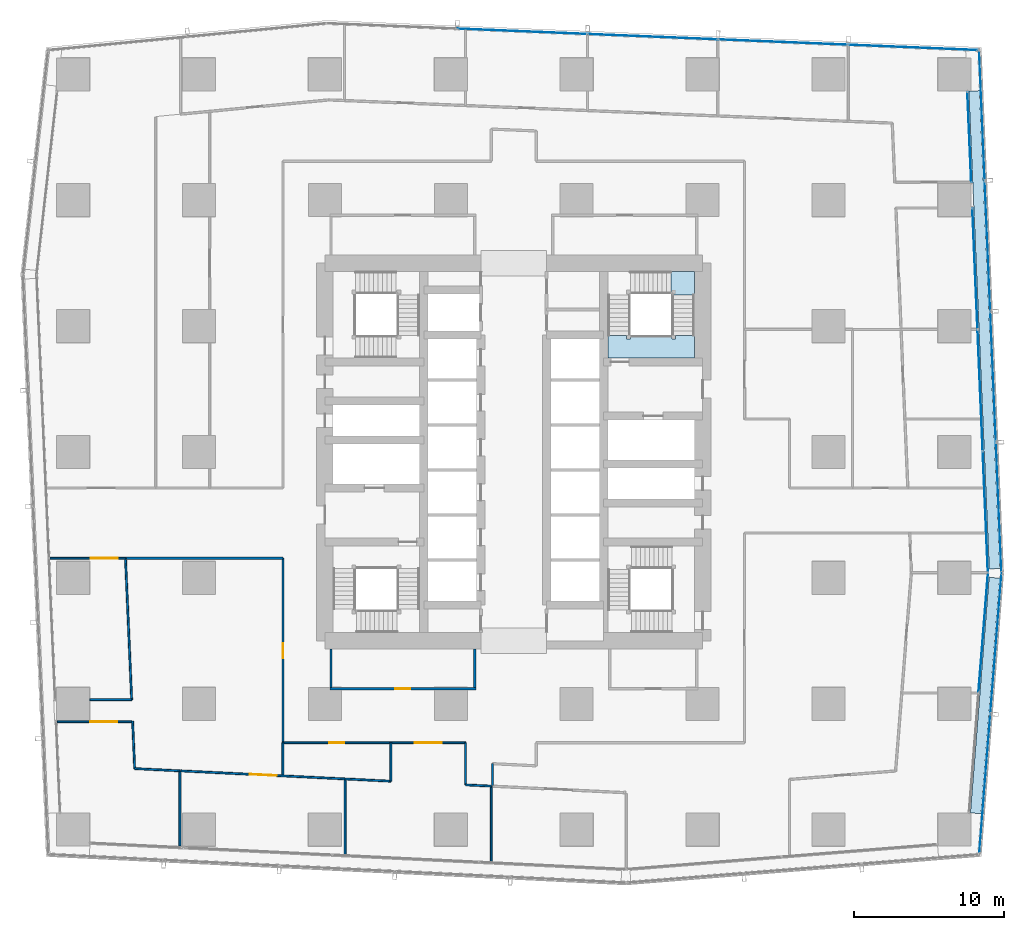
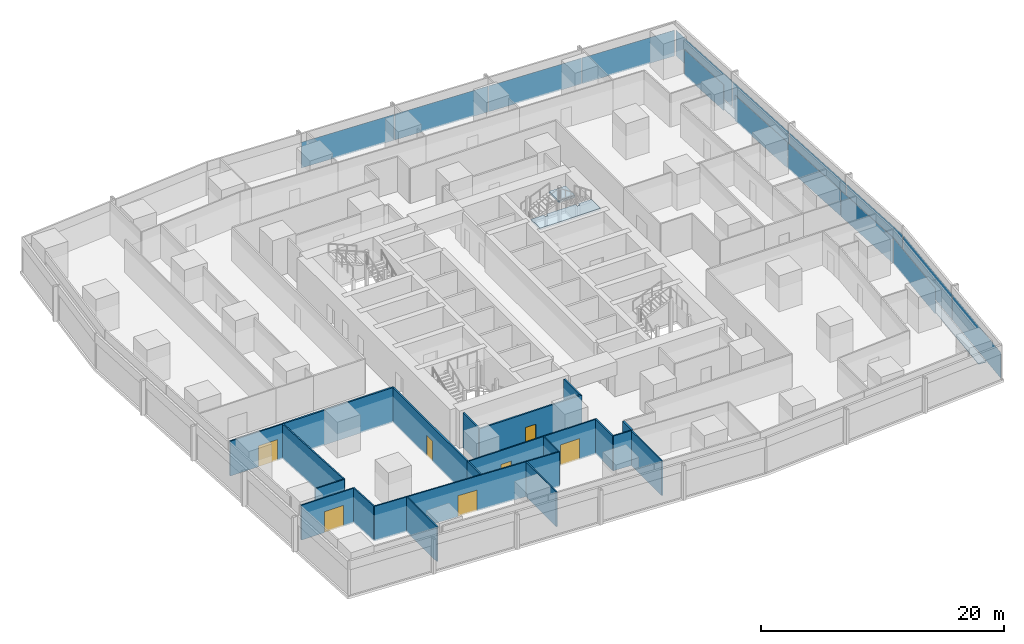
# One storey, part 31 of 44: 23 walls, 17 plates, 7 doors, 2 slabs, 7 openings, 7 elements without a shape of their own.
"""IFC4 building model written with IfcOpenShell, lengths in metres."""

from ifc_helpers import new_model, si_unit, direction, frame, frame_2d, origin, origin_2d, place, context, subcontext, project, spatial, polyline, rectangle, outline, extrude, material, layer, layer_set, type_object, element, fill, aggregate, save


model = new_model("IFC4")

# Units and contexts
model_context = context("Model", 3, precision=1e-05, world=origin(), true_north=direction((0.0, 1.0)))
body_context = subcontext(model_context, "Body", "Model", "MODEL_VIEW")
ifc_project = project(units=[si_unit("LENGTHUNIT", "METRE"), si_unit("AREAUNIT", "SQUARE_METRE"), si_unit("VOLUMEUNIT", "CUBIC_METRE"), si_unit("PLANEANGLEUNIT", "RADIAN"), si_unit("MASSUNIT", "GRAM", prefix="KILO")], contexts=[model_context])

# Site, building, storey
site_placement = place(None, origin())
site = spatial("IfcSite", under=ifc_project, at=site_placement, CompositionType="ELEMENT")
building_placement = place(site_placement, origin())
building = spatial("IfcBuilding", under=site, at=building_placement, Name="Rekha Terrace Tower", CompositionType="ELEMENT")
storey_placement = place(building_placement, frame((0.0, 0.0, 62.89990234375)))
storey = spatial("IfcBuildingStorey", under=building, at=storey_placement, Name="L15", CompositionType="ELEMENT", Elevation=62.89990234375)

# Curtain wall, plate
ifc_material_1 = material(Name="Aluminium framing", Category="aluminium")
curtain_wall_type_1 = type_object("IfcCurtainWallType", Name="CW1 double skin inner glazing", PredefinedType="USERDEFINED", material=ifc_material_1)
curtain_wall_1_placement = place(storey_placement, origin())
curtain_wall_1 = element("IfcCurtainWall", 1, at=curtain_wall_1_placement, inside=storey, type_object=curtain_wall_type_1, Name="CW1 double skin inner glazing", ObjectType="DOUBLE SKIN INNER GLAZING", PredefinedType="USERDEFINED")
ifc_material_2 = material(Name="Double-glazed low-e unit 32", Category="glass")
ifc_layer_1 = layer(ifc_material_2, 0.031982421875)
ifc_layer_set_1 = layer_set([ifc_layer_1], Name="Double-glazed low-e unit 32")
plate_type_1 = type_object("IfcPlateType", Name="CW1 jumbo vision panel, double-glazed low-e unit 32", PredefinedType="CURTAIN_PANEL", material=ifc_layer_set_1)
plate_1_placement = place(storey_placement, frame((69.1220703125, 21.53759765625, 0.0), z_axis=(0.0, 0.0, 1.0), x_axis=(0.079116301, 0.996865392576, 0.0)))
plate_1 = element("IfcPlate", 2, at=plate_1_placement, type_object=plate_type_1, Name="CW1 panel 2.1", PredefinedType="CURTAIN_PANEL", context=body_context, shape_type="SweptSolid", body=[
    extrude(rectangle(XDim=7.988525390625, YDim=0.031982421875, at=origin_2d()), origin(), (0.0, 0.0, 1.0), 2.60009765625),
])
aggregate(curtain_wall_1, [plate_1])

# Curtain wall, plates
curtain_wall_2_placement = place(storey_placement, origin())
curtain_wall_2 = element("IfcCurtainWall", 3, at=curtain_wall_2_placement, inside=storey, type_object=curtain_wall_type_1, Name="CW1 double skin inner glazing", ObjectType="DOUBLE SKIN INNER GLAZING", PredefinedType="USERDEFINED")
plate_2_placement = place(storey_placement, frame((69.263671875, 29.60107421875, 0.0), z_axis=(0.0, 0.0, 1.0), x_axis=(-0.042696072921, 0.999088106904, 0.0)))
plate_2 = element("IfcPlate", 4, at=plate_2_placement, type_object=plate_type_1, Name="CW1 panel 1.1", PredefinedType="CURTAIN_PANEL", context=body_context, shape_type="SweptSolid", body=[
    extrude(rectangle(XDim=8.041015625, YDim=0.031982421875, at=origin_2d()), origin(), (0.0, 0.0, 1.0), 2.60009765625),
])
plate_3_placement = place(storey_placement, frame((68.9169921875, 37.7158203125, 0.0), z_axis=(0.0, 0.0, 1.0), x_axis=(-0.042696072921, 0.999088106904, 0.0)))
plate_3 = element("IfcPlate", 5, at=plate_3_placement, type_object=plate_type_1, Name="CW1 panel 2.1", PredefinedType="CURTAIN_PANEL", context=body_context, shape_type="SweptSolid", body=[
    extrude(rectangle(XDim=8.073486328125, YDim=0.031982421875, at=origin_2d()), origin(), (0.0, 0.0, 1.0), 2.60009765625),
])
plate_4_placement = place(storey_placement, frame((68.5703125, 45.83056640625, 0.0), z_axis=(0.0, 0.0, 1.0), x_axis=(-0.042696072921, 0.999088106904, 0.0)))
plate_4 = element("IfcPlate", 6, at=plate_4_placement, type_object=plate_type_1, Name="CW1 panel 3.1", PredefinedType="CURTAIN_PANEL", context=body_context, shape_type="SweptSolid", body=[
    extrude(rectangle(XDim=8.041015625, YDim=0.031982421875, at=origin_2d()), origin(), (0.0, 0.0, 1.0), 2.60009765625),
])
aggregate(curtain_wall_2, [plate_2, plate_3, plate_4])

# Curtain wall, plate
curtain_wall_3_placement = place(storey_placement, origin())
curtain_wall_3 = element("IfcCurtainWall", 7, at=curtain_wall_3_placement, inside=storey, type_object=curtain_wall_type_1, Name="CW1 double skin inner glazing", ObjectType="DOUBLE SKIN INNER GLAZING", PredefinedType="USERDEFINED")
plate_5_placement = place(storey_placement, frame((68.195556640625, 54.60009765625, 0.0), z_axis=(0.0, 0.0, 1.0), x_axis=(-0.042696073026, 0.9990881069, 0.0)))
plate_5 = element("IfcPlate", 8, at=plate_5_placement, type_object=plate_type_1, Name="CW1 panel 1.1", PredefinedType="CURTAIN_PANEL", context=body_context, shape_type="SweptSolid", body=[
    extrude(rectangle(XDim=6.027587890625, YDim=0.031982421875, at=origin_2d()), origin(), (0.0, 0.0, 1.0), 2.60009765625),
])
aggregate(curtain_wall_3, [plate_5])

# Curtain wall, plates
curtain_wall_type_2 = type_object("IfcCurtainWallType", Name="CW2 double skin outer glazing", PredefinedType="USERDEFINED", material=ifc_material_1)
curtain_wall_4_placement = place(storey_placement, origin())
curtain_wall_4 = element("IfcCurtainWall", 9, at=curtain_wall_4_placement, inside=storey, type_object=curtain_wall_type_2, Name="CW2 double skin outer glazing", ObjectType="DOUBLE SKIN OUTER GLAZING", PredefinedType="USERDEFINED")
ifc_material_3 = material(Name="Toughened single glazing 12", Category="glass")
ifc_layer_2 = layer(ifc_material_3, 0.011962890625)
ifc_layer_set_2 = layer_set([ifc_layer_2], Name="Toughened single glazing 12")
plate_type_2 = type_object("IfcPlateType", Name="CW2 jumbo vision panel, toughened single glazing 12", PredefinedType="CURTAIN_PANEL", material=ifc_layer_set_2)
plate_6_placement = place(storey_placement, frame((69.22509765625, 11.45703125, 0.0), z_axis=(0.0, 0.0, 1.0), x_axis=(0.079116301017, 0.996865392575, 0.0)))
plate_6 = element("IfcPlate", 10, at=plate_6_placement, type_object=plate_type_2, Name="CW2 panel 1.1", PredefinedType="CURTAIN_PANEL", context=body_context, shape_type="SweptSolid", body=[
    extrude(rectangle(XDim=9.28662109375, YDim=0.011962890625, at=origin_2d()), origin(), (0.0, 0.0, 1.0), 2.60009765625),
])
plate_7_placement = place(storey_placement, frame((69.96923828125, 20.834228515625, 0.0), z_axis=(0.0, 0.0, 1.0), x_axis=(0.079116301017, 0.996865392575, 0.0)))
plate_7 = element("IfcPlate", 11, at=plate_7_placement, type_object=plate_type_2, Name="CW2 panel 2.1", PredefinedType="CURTAIN_PANEL", context=body_context, shape_type="SweptSolid", body=[
    extrude(rectangle(XDim=9.36669921875, YDim=0.011962890625, at=origin_2d()), origin(), (0.0, 0.0, 1.0), 2.60009765625),
])
aggregate(curtain_wall_4, [plate_6, plate_7])

curtain_wall_5_placement = place(storey_placement, origin())
curtain_wall_5 = element("IfcCurtainWall", 12, at=curtain_wall_5_placement, inside=storey, type_object=curtain_wall_type_2, Name="CW2 double skin outer glazing", ObjectType="DOUBLE SKIN OUTER GLAZING", PredefinedType="USERDEFINED")
plate_8_placement = place(storey_placement, frame((70.152099609375, 29.890869140625, 0.0), z_axis=(0.0, 0.0, 1.0), x_axis=(-0.042696072956, 0.999088106903, 0.0)))
plate_8 = element("IfcPlate", 13, at=plate_8_placement, type_object=plate_type_2, Name="CW2 panel 1.1", PredefinedType="CURTAIN_PANEL", context=body_context, shape_type="SweptSolid", body=[
    extrude(rectangle(XDim=8.623779296875, YDim=0.011962890625, at=origin_2d()), origin(), (0.0, 0.0, 1.0), 2.60009765625),
])
plate_9_placement = place(storey_placement, frame((69.77978515625, 38.606689453125, 0.0), z_axis=(0.0, 0.0, 1.0), x_axis=(-0.042696072956, 0.999088106903, 0.0)))
plate_9 = element("IfcPlate", 14, at=plate_9_placement, type_object=plate_type_2, Name="CW2 panel 2.1", PredefinedType="CURTAIN_PANEL", context=body_context, shape_type="SweptSolid", body=[
    extrude(rectangle(XDim=8.663818359375, YDim=0.011962890625, at=origin_2d()), origin(), (0.0, 0.0, 1.0), 2.60009765625),
])
plate_10_placement = place(storey_placement, frame((69.406494140625, 47.342529296875, 0.0), z_axis=(0.0, 0.0, 1.0), x_axis=(-0.042696072956, 0.999088106903, 0.0)))
plate_10 = element("IfcPlate", 15, at=plate_10_placement, type_object=plate_type_2, Name="CW2 panel 3.1", PredefinedType="CURTAIN_PANEL", context=body_context, shape_type="SweptSolid", body=[
    extrude(rectangle(XDim=8.663818359375, YDim=0.011962890625, at=origin_2d()), origin(), (0.0, 0.0, 1.0), 2.60009765625),
])
plate_11_placement = place(storey_placement, frame((69.033935546875, 56.058349609375, 0.0), z_axis=(0.0, 0.0, 1.0), x_axis=(-0.042696072956, 0.999088106903, 0.0)))
plate_11 = element("IfcPlate", 16, at=plate_11_placement, type_object=plate_type_2, Name="CW2 panel 4.1", PredefinedType="CURTAIN_PANEL", context=body_context, shape_type="SweptSolid", body=[
    extrude(rectangle(XDim=8.623779296875, YDim=0.011962890625, at=origin_2d()), origin(), (0.0, 0.0, 1.0), 2.60009765625),
])
aggregate(curtain_wall_5, [plate_8, plate_9, plate_10, plate_11])

curtain_wall_type_3 = type_object("IfcCurtainWallType", Name="CW3 north unitised glazing", PredefinedType="USERDEFINED", material=ifc_material_1)
curtain_wall_6_placement = place(storey_placement, origin())
curtain_wall_6 = element("IfcCurtainWall", 17, at=curtain_wall_6_placement, inside=storey, type_object=curtain_wall_type_3, Name="CW3 unitised curtain wall", ObjectType="UNITISED CURTAIN WALL", PredefinedType="USERDEFINED")
ifc_material_4 = material(Name="Double-glazed unit 28", Category="glass")
ifc_layer_3 = layer(ifc_material_4, 0.028076171875)
ifc_layer_set_3 = layer_set([ifc_layer_3], Name="Double-glazed unit 28")
plate_type_3 = type_object("IfcPlateType", Name="CW3 jumbo vision panel, double-glazed unit 28", PredefinedType="CURTAIN_PANEL", material=ifc_layer_set_3)
plate_12_placement = place(storey_placement, frame((64.4423828125, 60.587646484375, 0.0), z_axis=(0.0, 0.0, 1.0), x_axis=(-0.999151997647, 0.041173846041, 0.0)))
plate_12 = element("IfcPlate", 18, at=plate_12_placement, type_object=plate_type_3, Name="CW3 panel 1.1", PredefinedType="CURTAIN_PANEL", context=body_context, shape_type="SweptSolid", body=[
    extrude(rectangle(XDim=8.598876953125, YDim=0.028076171875, at=origin_2d()), origin(), (0.0, 0.0, 1.0), 2.60009765625),
])
plate_13_placement = place(storey_placement, frame((55.76318359375, 60.9453125, 0.0), z_axis=(0.0, 0.0, 1.0), x_axis=(-0.999151997647, 0.041173846041, 0.0)))
plate_13 = element("IfcPlate", 19, at=plate_13_placement, type_object=plate_type_3, Name="CW3 panel 2.1", PredefinedType="CURTAIN_PANEL", context=body_context, shape_type="SweptSolid", body=[
    extrude(rectangle(XDim=8.6337890625, YDim=0.028076171875, at=origin_2d()), origin(), (0.0, 0.0, 1.0), 2.60009765625),
])
plate_14_placement = place(storey_placement, frame((47.066650390625, 61.3037109375, 0.0), z_axis=(0.0, 0.0, 1.0), x_axis=(-0.999151997647, 0.041173846041, 0.0)))
plate_14 = element("IfcPlate", 20, at=plate_14_placement, type_object=plate_type_3, Name="CW3 panel 3.1", PredefinedType="CURTAIN_PANEL", context=body_context, shape_type="SweptSolid", body=[
    extrude(rectangle(XDim=8.6337890625, YDim=0.028076171875, at=origin_2d()), origin(), (0.0, 0.0, 1.0), 2.60009765625),
])
plate_15_placement = place(storey_placement, frame((38.370361328125, 61.662109375, 0.0), z_axis=(0.0, 0.0, 1.0), x_axis=(-0.999151997647, 0.041173846041, 0.0)))
plate_15 = element("IfcPlate", 21, at=plate_15_placement, type_object=plate_type_3, Name="CW3 panel 4.1", PredefinedType="CURTAIN_PANEL", context=body_context, shape_type="SweptSolid", body=[
    extrude(rectangle(XDim=8.6337890625, YDim=0.028076171875, at=origin_2d()), origin(), (0.0, 0.0, 1.0), 2.60009765625),
])
aggregate(curtain_wall_6, [plate_12, plate_13, plate_14, plate_15])

# Plates
ifc_material_5 = material(Name="Galvanised steel open grating", Category="steel")
ifc_layer_4 = layer(ifc_material_5, 0.050048828125)
ifc_layer_set_4 = layer_set([ifc_layer_4], Name="Galvanised steel open grating")
plate_type_4 = type_object("IfcPlateType", Name="GT1 cavity walkway grating 50", PredefinedType="USERDEFINED", material=ifc_layer_set_4)
plate_16_placement = place(storey_placement, frame((69.241455078125, 17.353515625, 0.0), z_axis=(0.0, 0.0, 1.0), x_axis=(0.079116301, 0.996865392576, 0.0)))
element("IfcPlate", 22, at=plate_16_placement, inside=storey, type_object=plate_type_4, Name="Cavity walkway grating", ObjectType="CAVITY WALKWAY GRATING", PredefinedType="USERDEFINED", context=body_context, shape_type="SweptSolid", body=[
    extrude(rectangle(XDim=15.7666015625, YDim=0.705078125, at=origin_2d()), origin(), (0.0, 0.0, 1.0), 0.050048828125),
])
plate_17_placement = place(storey_placement, frame((69.195068359375, 41.75, 0.0), z_axis=(0.0, 0.0, 1.0), x_axis=(-0.042696072939, 0.999088106903, 0.0)))
element("IfcPlate", 23, at=plate_17_placement, inside=storey, type_object=plate_type_4, Name="Cavity walkway grating", ObjectType="CAVITY WALKWAY GRATING", PredefinedType="USERDEFINED", context=body_context, shape_type="SweptSolid", body=[
    extrude(rectangle(XDim=31.9072265625, YDim=0.705078125, at=origin_2d()), origin(), (0.0, 0.0, 1.0), 0.050048828125),
])

# Stair, slabs
ifc_material_6 = material(Name="Concrete M40", Category="concrete")
stair_type = type_object("IfcStairType", Name="ST30 stair, 30 risers of 125, going 300, 1500 wide flights, 3 flights", PredefinedType="HALF_TURN_STAIR", material=ifc_material_6)
stair_placement = place(storey_placement, origin())
stair = element("IfcStair", 24, at=stair_placement, inside=storey, type_object=stair_type, Name="Stair ST2 L15 to L16", PredefinedType="HALF_TURN_STAIR")
ifc_layer_5 = layer(ifc_material_6, 0.199951171875)
ifc_layer_set_5 = layer_set([ifc_layer_5], Name="Concrete M40")
slab_type = type_object("IfcSlabType", Name="LD1 200 concrete stair landing", PredefinedType="LANDING", material=ifc_layer_set_5)
slab_1_placement = place(storey_placement, frame((0.0, 0.0, 2.300048828125)))
slab_1 = element("IfcSlab", 25, at=slab_1_placement, type_object=slab_type, Name="ST2 landing 2", PredefinedType="LANDING", context=body_context, shape_type="SweptSolid", body=[
    extrude(outline(polyline([(48.35009765625, 44.074951171875), (49.85009765625, 44.074951171875), (49.85009765625, 45.64990234375), (48.27490234375, 45.64990234375), (48.27490234375, 44.14990234375), (48.35009765625, 44.14990234375), (48.35009765625, 44.074951171875)])), origin(), (0.0, 0.0, 1.0), 0.199951171875),
])
slab_2_placement = place(storey_placement, frame((0.0, 0.0, 3.550048828125)))
slab_2 = element("IfcSlab", 26, at=slab_2_placement, type_object=slab_type, Name="ST2 landing 3", PredefinedType="LANDING", context=body_context, shape_type="SweptSolid", body=[
    extrude(outline(polyline([(44.074951171875, 41.375), (44.074951171875, 39.875), (49.85009765625, 39.875), (49.85009765625, 41.375), (48.60009765625, 41.375), (48.60009765625, 41.125), (48.35009765625, 41.125), (48.35009765625, 41.375), (45.574951171875, 41.375), (45.574951171875, 41.125), (45.324951171875, 41.125), (45.324951171875, 41.375), (44.074951171875, 41.375)])), origin(), (0.0, 0.0, 1.0), 0.199951171875),
])
aggregate(stair, [slab_1, slab_2])

# Wall, opening, door
ifc_material_7 = material(Name="Concrete block masonry, 1 hour", Category="masonry")
ifc_layer_6 = layer(ifc_material_7, 0.14990234375)
ifc_layer_set_6 = layer_set([ifc_layer_6], Name="Concrete block masonry, 1 hour")
wall_type_1 = type_object("IfcWallType", Name="WP2 150 tenancy partition", PredefinedType="PARTITIONING", material=ifc_layer_set_6)
wall_1_placement = place(storey_placement, frame((25.52490234375, 17.800048828125, 0.0), z_axis=(0.0, 0.0, 1.0), x_axis=(1.0, 0.0, 0.0)))
wall_1 = element("IfcWall", 27, at=wall_1_placement, inside=storey, type_object=wall_type_1, Name="Men's WC wall L15", PredefinedType="PARTITIONING", context=body_context, shape_type="SweptSolid", body=[
    extrude(rectangle(XDim=9.75, YDim=0.14990234375, at=frame_2d((4.875, 0.0))), origin(), (0.0, 0.0, 1.0), 3.5),
])
opening_1_placement = place(wall_1_placement, frame((4.375, 0.0, 0.0)))
opening_1 = element("IfcOpeningElement", 28, at=opening_1_placement, cuts=wall_1, Name="Opening D3", PredefinedType="OPENING", context=body_context, shape_type="SweptSolid", body=[
    extrude(rectangle(XDim=1.0, YDim=2.10009765625, at=frame_2d((0.5, 1.050048828125))), frame((0.0, 0.0849609375, 0.0), z_axis=(0.0, -1.0, 0.0), x_axis=(1.0, 0.0, 0.0)), (0.0, 0.0, 1.0), 0.169921875),
])
ifc_material_8 = material(Name="Laminated timber fire door", Category="wood")
door_type_1 = type_object("IfcDoorType", Name="D3 1000x2100 WC door", OperationType="SINGLE_SWING_LEFT", PredefinedType="DOOR", material=ifc_material_8)
door_1_placement = place(opening_1_placement, origin())
door_1 = element("IfcDoor", 29, at=door_1_placement, inside=storey, type_object=door_type_1, Name="Door men's wc L15", OperationType="SINGLE_SWING_LEFT", OverallHeight=2.10009765625, OverallWidth=1.0, PredefinedType="DOOR", context=body_context, shape_type="SweptSolid", body=[
    extrude(rectangle(XDim=1.0, YDim=2.10009765625, at=frame_2d((0.5, 1.050048828125))), frame((0.0, 0.02490234375, 0.0), z_axis=(0.0, -1.0, 0.0), x_axis=(1.0, 0.0, 0.0)), (0.0, 0.0, 1.0), 0.050048828125),
])
fill(opening_1, door_1)

# Walls
for number, where, z_axis, x_axis, name in (
    (30, (25.60009765625, 17.875, 0.0), (0.0, 0.0, 1.0), (0.0, 1.0, 0.0), "Men's WC wall L15"),
    (31, (35.199951171875, 17.875, 0.0), (0.0, 0.0, 1.0), (0.0, 1.0, 0.0), "Men's WC wall L15"),
):
    element("IfcWall", number, at=place(storey_placement, frame(where, z_axis=z_axis, x_axis=x_axis)), inside=storey, type_object=wall_type_1, Name=name, PredefinedType="PARTITIONING", context=body_context, shape_type="SweptSolid", body=[
        extrude(rectangle(XDim=2.574951171875, YDim=0.14990234375, at=frame_2d((1.28759765625, 0.0))), origin(), (0.0, 0.0, 1.0), 3.5),
    ])
wall_2_placement = place(storey_placement, frame((36.384033203125, 11.366943359375, 0.0), z_axis=(0.0, 0.0, 1.0), x_axis=(0.0, 1.0, 0.0)))
element("IfcWall", 32, at=wall_2_placement, inside=storey, type_object=wall_type_1, Name="Partition L15-O1", PredefinedType="PARTITIONING", context=body_context, shape_type="SweptSolid", body=[
    extrude(rectangle(XDim=1.43896484375, YDim=0.14990234375, at=frame_2d((0.719482421875, 0.0))), origin(), (0.0, 0.0, 1.0), 3.5),
])
wall_3_placement = place(storey_placement, frame((11.89599609375, 26.511962890625, 0.0), z_axis=(0.0, 0.0, 1.0), x_axis=(1.0, 0.0, 0.0)))
element("IfcWall", 33, at=wall_3_placement, inside=storey, type_object=wall_type_1, Name="Partition L15-O1b", PredefinedType="PARTITIONING", context=body_context, shape_type="SweptSolid", body=[
    extrude(rectangle(XDim=10.50390625, YDim=0.14990234375, at=frame_2d((5.251953125, 0.0))), origin(), (0.0, 0.0, 1.0), 3.5),
])

# Wall, opening, door
wall_4_placement = place(storey_placement, frame((22.39990234375, 26.511962890625, 0.0), z_axis=(0.0, 0.0, 1.0), x_axis=(0.0, -1.0, 0.0)))
wall_4 = element("IfcWall", 34, at=wall_4_placement, inside=storey, type_object=wall_type_1, Name="Partition L15-O1b", PredefinedType="PARTITIONING", context=body_context, shape_type="SweptSolid", body=[
    extrude(rectangle(XDim=12.31201171875, YDim=0.14990234375, at=frame_2d((6.156005859375, 0.0))), origin(), (0.0, 0.0, 1.0), 3.5),
])
opening_2_placement = place(wall_4_placement, frame((5.656005859375, 0.0, 0.0)))
opening_2 = element("IfcOpeningElement", 35, at=opening_2_placement, cuts=wall_4, Name="Opening D9", PredefinedType="OPENING", context=body_context, shape_type="SweptSolid", body=[
    extrude(rectangle(XDim=1.0, YDim=2.10009765625, at=frame_2d((0.5, 1.050048828125))), frame((0.0, 0.0849609375, 0.0), z_axis=(0.0, -1.0, 0.0), x_axis=(1.0, 0.0, 0.0)), (0.0, 0.0, 1.0), 0.169921875),
])
ifc_material_9 = material(Name="Timber fire door", Category="wood")
door_type_2 = type_object("IfcDoorType", Name="D9 1000x2100 office door", OperationType="SINGLE_SWING_LEFT", PredefinedType="DOOR", material=ifc_material_9)
door_2_placement = place(opening_2_placement, origin())
door_2 = element("IfcDoor", 36, at=door_2_placement, inside=storey, type_object=door_type_2, Name="Door open-plan office L15", OperationType="SINGLE_SWING_LEFT", OverallHeight=2.10009765625, OverallWidth=1.0, PredefinedType="DOOR", context=body_context, shape_type="SweptSolid", body=[
    extrude(rectangle(XDim=1.0, YDim=2.10009765625, at=frame_2d((0.5, 1.050048828125))), frame((0.0, 0.02490234375, 0.0), z_axis=(0.0, -1.0, 0.0), x_axis=(1.0, 0.0, 0.0)), (0.0, 0.0, 1.0), 0.050048828125),
])
fill(opening_2, door_2)

# Walls
ifc_material_10 = material(Name="Two layers of fire-rated gypsum board each side on steel studs, acoustic quilt, 1 hour", Category="steel")
ifc_layer_7 = layer(ifc_material_10, 0.125)
ifc_layer_set_7 = layer_set([ifc_layer_7], Name="Two layers of fire-rated gypsum board each side on steel studs, acoustic quilt, 1 hour")
wall_type_2 = type_object("IfcWallType", Name="WP3 125 office partition", PredefinedType="PARTITIONING", material=ifc_layer_set_7)
wall_5_placement = place(storey_placement, frame((36.299072265625, 6.2529296875, 0.0), z_axis=(0.0, 0.0, 1.0), x_axis=(0.0, 1.0, 0.0)))
element("IfcWall", 37, at=wall_5_placement, inside=storey, type_object=wall_type_2, Name="Partition L15-02", PredefinedType="PARTITIONING", context=body_context, shape_type="SweptSolid", body=[
    extrude(rectangle(XDim=5.05615234375, YDim=0.125, at=frame_2d((2.528076171875, 0.0))), origin(), (0.0, 0.0, 1.0), 3.5),
])
wall_6_placement = place(storey_placement, frame((11.89599609375, 26.511962890625, 0.0), z_axis=(0.0, 0.0, 1.0), x_axis=(0.043651567972, -0.999046816027, 0.0)))
element("IfcWall", 38, at=wall_6_placement, inside=storey, type_object=wall_type_2, Name="Partition L15-06", PredefinedType="PARTITIONING", context=body_context, shape_type="SweptSolid", body=[
    extrude(rectangle(XDim=9.44091796875, YDim=0.125, at=frame_2d((4.720458984375, 0.0))), origin(), (0.0, 0.0, 1.0), 3.5),
])
wall_7_placement = place(storey_placement, frame((12.30810546875, 17.080078125, 0.0), z_axis=(0.0, 0.0, 1.0), x_axis=(-1.0, 0.0, 0.0)))
element("IfcWall", 39, at=wall_7_placement, inside=storey, type_object=wall_type_2, Name="Partition L15-06", PredefinedType="PARTITIONING", context=body_context, shape_type="SweptSolid", body=[
    extrude(rectangle(XDim=2.7880859375, YDim=0.125, at=frame_2d((1.39404296875, 0.0))), origin(), (0.0, 0.0, 1.0), 3.5),
])

# Wall, opening, door
wall_8_placement = place(storey_placement, frame((6.87109375, 26.511962890625, 0.0), z_axis=(0.0, 0.0, 1.0), x_axis=(1.0, 0.0, 0.0)))
wall_8 = element("IfcWall", 40, at=wall_8_placement, inside=storey, type_object=wall_type_2, Name="Partition L15-06", PredefinedType="PARTITIONING", context=body_context, shape_type="SweptSolid", body=[
    extrude(rectangle(XDim=5.02490234375, YDim=0.125, at=frame_2d((2.512451171875, 0.0))), origin(), (0.0, 0.0, 1.0), 3.5),
])
opening_3_placement = place(wall_8_placement, frame((2.7119140625, 0.0, 0.0)))
opening_3 = element("IfcOpeningElement", 41, at=opening_3_placement, cuts=wall_8, Name="Opening D8", PredefinedType="OPENING", context=body_context, shape_type="SweptSolid", body=[
    extrude(rectangle(XDim=1.800048828125, YDim=2.10009765625, at=frame_2d((0.89990234375, 1.050048828125))), frame((0.0, 0.072509765625, 0.0), z_axis=(0.0, -1.0, 0.0), x_axis=(1.0, 0.0, 0.0)), (0.0, 0.0, 1.0), 0.14501953125),
])
door_type_3 = type_object("IfcDoorType", Name="D8 1800x2100 double leaf door", OperationType="DOUBLE_DOOR_SINGLE_SWING", PredefinedType="DOOR", material=ifc_material_9)
door_3_placement = place(opening_3_placement, origin())
door_3 = element("IfcDoor", 42, at=door_3_placement, inside=storey, type_object=door_type_3, Name="Door breakout lounge L15", OperationType="DOUBLE_DOOR_SINGLE_SWING", OverallHeight=2.10009765625, OverallWidth=1.800048828125, PredefinedType="DOOR", context=body_context, shape_type="SweptSolid", body=[
    extrude(rectangle(XDim=1.800048828125, YDim=2.10009765625, at=frame_2d((0.89990234375, 1.050048828125))), frame((0.0, 0.02490234375, 0.0), z_axis=(0.0, -1.0, 0.0), x_axis=(1.0, 0.0, 0.0)), (0.0, 0.0, 1.0), 0.050048828125),
])
fill(opening_3, door_3)

wall_9_placement = place(storey_placement, frame((7.346923828125, 15.60791015625, 0.0), z_axis=(0.0, 0.0, 1.0), x_axis=(1.0, 0.0, 0.0)))
wall_9 = element("IfcWall", 43, at=wall_9_placement, inside=storey, type_object=wall_type_2, Name="Partition L15-07", PredefinedType="PARTITIONING", context=body_context, shape_type="SweptSolid", body=[
    extrude(rectangle(XDim=4.963134765625, YDim=0.125, at=frame_2d((2.4814453125, 0.0))), origin(), (0.0, 0.0, 1.0), 3.5),
])
opening_4_placement = place(wall_9_placement, frame((2.2119140625, 0.0, 0.0)))
opening_4 = element("IfcOpeningElement", 44, at=opening_4_placement, cuts=wall_9, Name="Opening D8", PredefinedType="OPENING", context=body_context, shape_type="SweptSolid", body=[
    extrude(rectangle(XDim=1.800048828125, YDim=2.10009765625, at=frame_2d((0.89990234375, 1.050048828125))), frame((0.0, 0.072509765625, 0.0), z_axis=(0.0, -1.0, 0.0), x_axis=(1.0, 0.0, 0.0)), (0.0, 0.0, 1.0), 0.14501953125),
])
door_4_placement = place(opening_4_placement, origin())
door_4 = element("IfcDoor", 45, at=door_4_placement, inside=storey, type_object=door_type_3, Name="Door meeting room L15", OperationType="DOUBLE_DOOR_SINGLE_SWING", OverallHeight=2.10009765625, OverallWidth=1.800048828125, PredefinedType="DOOR", context=body_context, shape_type="SweptSolid", body=[
    extrude(rectangle(XDim=1.800048828125, YDim=2.10009765625, at=frame_2d((0.89990234375, 1.050048828125))), frame((0.0, 0.02490234375, 0.0), z_axis=(0.0, -1.0, 0.0), x_axis=(1.0, 0.0, 0.0)), (0.0, 0.0, 1.0), 0.050048828125),
])
fill(opening_4, door_4)

# Walls
wall_10_placement = place(storey_placement, frame((12.37109375, 15.64306640625, 0.0), z_axis=(0.0, 0.0, 1.0), x_axis=(0.043527491497, -0.999052229608, 0.0)))
element("IfcWall", 46, at=wall_10_placement, inside=storey, type_object=wall_type_2, Name="Partition L15-07", PredefinedType="PARTITIONING", context=body_context, shape_type="SweptSolid", body=[
    extrude(rectangle(XDim=3.1689453125, YDim=0.125, at=frame_2d((1.58447265625, 0.0))), origin(), (0.0, 0.0, 1.0), 3.5),
])
wall_11_placement = place(storey_placement, frame((12.509033203125, 12.47705078125, 0.0), z_axis=(0.0, 0.0, 1.0), x_axis=(0.9987981005, -0.049013818844, 0.0)))
element("IfcWall", 47, at=wall_11_placement, inside=storey, type_object=wall_type_2, Name="Partition L15-07", PredefinedType="PARTITIONING", context=body_context, shape_type="SweptSolid", body=[
    extrude(rectangle(XDim=3.0185546875, YDim=0.125, at=frame_2d((1.50927734375, 0.0))), origin(), (0.0, 0.0, 1.0), 3.5),
])
wall_12_placement = place(storey_placement, frame((15.52392578125, 12.3291015625, 0.0), z_axis=(0.0, 0.0, 1.0), x_axis=(0.0, -1.0, 0.0)))
element("IfcWall", 48, at=wall_12_placement, inside=storey, type_object=wall_type_2, Name="Partition L15-07", PredefinedType="PARTITIONING", context=body_context, shape_type="SweptSolid", body=[
    extrude(rectangle(XDim=5.026123046875, YDim=0.125, at=frame_2d((2.51318359375, 0.0))), origin(), (0.0, 0.0, 1.0), 3.5),
])

# Wall, opening, door
wall_13_placement = place(storey_placement, frame((15.5859375, 12.325927734375, 0.0), z_axis=(0.0, 0.0, 1.0), x_axis=(0.998798341691, -0.04900890364, 0.0)))
wall_13 = element("IfcWall", 49, at=wall_13_placement, inside=storey, type_object=wall_type_2, Name="Partition L15-08", PredefinedType="PARTITIONING", context=body_context, shape_type="SweptSolid", body=[
    extrude(rectangle(XDim=10.974365234375, YDim=0.125, at=frame_2d((5.4873046875, 0.0))), origin(), (0.0, 0.0, 1.0), 3.5),
])
opening_5_placement = place(wall_13_placement, frame((4.614990234375, 0.0, 0.0)))
opening_5 = element("IfcOpeningElement", 50, at=opening_5_placement, cuts=wall_13, Name="Opening D8", PredefinedType="OPENING", context=body_context, shape_type="SweptSolid", body=[
    extrude(rectangle(XDim=1.800048828125, YDim=2.10009765625, at=frame_2d((0.89990234375, 1.050048828125))), frame((0.0, 0.072509765625, 0.0), z_axis=(0.0, -1.0, 0.0), x_axis=(1.0, 0.0, 0.0)), (0.0, 0.0, 1.0), 0.14501953125),
])
door_5_placement = place(opening_5_placement, origin())
door_5 = element("IfcDoor", 51, at=door_5_placement, inside=storey, type_object=door_type_3, Name="Door quiet room L15", OperationType="DOUBLE_DOOR_SINGLE_SWING", OverallHeight=2.10009765625, OverallWidth=1.800048828125, PredefinedType="DOOR", context=body_context, shape_type="SweptSolid", body=[
    extrude(rectangle(XDim=1.800048828125, YDim=2.10009765625, at=frame_2d((0.89990234375, 1.050048828125))), frame((0.0, 0.02490234375, 0.0), z_axis=(0.0, -1.0, 0.0), x_axis=(1.0, 0.0, 0.0)), (0.0, 0.0, 1.0), 0.050048828125),
])
fill(opening_5, door_5)

# Walls
wall_14_placement = place(storey_placement, frame((26.547119140625, 11.72509765625, 0.0), z_axis=(0.0, 0.0, 1.0), x_axis=(0.0, -1.0, 0.0)))
element("IfcWall", 52, at=wall_14_placement, inside=storey, type_object=wall_type_2, Name="Partition L15-08", PredefinedType="PARTITIONING", context=body_context, shape_type="SweptSolid", body=[
    extrude(rectangle(XDim=4.9931640625, YDim=0.125, at=frame_2d((2.49658203125, 0.0))), origin(), (0.0, 0.0, 1.0), 3.5),
])
wall_15_placement = place(storey_placement, frame((29.60009765625, 11.637939453125, 0.0), z_axis=(0.0, 0.0, 1.0), x_axis=(0.0, 1.0, 0.0)))
element("IfcWall", 53, at=wall_15_placement, inside=storey, type_object=wall_type_2, Name="Partition L15-09", PredefinedType="PARTITIONING", context=body_context, shape_type="SweptSolid", body=[
    extrude(rectangle(XDim=2.56201171875, YDim=0.125, at=frame_2d((1.281005859375, 0.0))), origin(), (0.0, 0.0, 1.0), 3.5),
])

# Wall, opening, door
wall_16_placement = place(storey_placement, frame((29.60009765625, 14.199951171875, 0.0), z_axis=(0.0, 0.0, 1.0), x_axis=(1.0, 0.0, 0.0)))
wall_16 = element("IfcWall", 54, at=wall_16_placement, inside=storey, type_object=wall_type_2, Name="Partition L15-09", PredefinedType="PARTITIONING", context=body_context, shape_type="SweptSolid", body=[
    extrude(rectangle(XDim=4.98388671875, YDim=0.125, at=frame_2d((2.491943359375, 0.0))), origin(), (0.0, 0.0, 1.0), 3.5),
])
opening_6_placement = place(wall_16_placement, frame((1.592041015625, 0.0, 0.0)))
opening_6 = element("IfcOpeningElement", 55, at=opening_6_placement, cuts=wall_16, Name="Opening D8", PredefinedType="OPENING", context=body_context, shape_type="SweptSolid", body=[
    extrude(rectangle(XDim=1.800048828125, YDim=2.10009765625, at=frame_2d((0.89990234375, 1.050048828125))), frame((0.0, 0.072509765625, 0.0), z_axis=(0.0, -1.0, 0.0), x_axis=(1.0, 0.0, 0.0)), (0.0, 0.0, 1.0), 0.14501953125),
])
door_6_placement = place(opening_6_placement, origin())
door_6 = element("IfcDoor", 56, at=door_6_placement, inside=storey, type_object=door_type_3, Name="Door meeting room L15", OperationType="DOUBLE_DOOR_SINGLE_SWING", OverallHeight=2.10009765625, OverallWidth=1.800048828125, PredefinedType="DOOR", context=body_context, shape_type="SweptSolid", body=[
    extrude(rectangle(XDim=1.800048828125, YDim=2.10009765625, at=frame_2d((0.89990234375, 1.050048828125))), frame((0.0, 0.02490234375, 0.0), z_axis=(0.0, -1.0, 0.0), x_axis=(1.0, 0.0, 0.0)), (0.0, 0.0, 1.0), 0.050048828125),
])
fill(opening_6, door_6)

# Walls
wall_17_placement = place(storey_placement, frame((34.583984375, 14.199951171875, 0.0), z_axis=(0.0, 0.0, 1.0), x_axis=(0.0, -1.0, 0.0)))
element("IfcWall", 57, at=wall_17_placement, inside=storey, type_object=wall_type_2, Name="Partition L15-09", PredefinedType="PARTITIONING", context=body_context, shape_type="SweptSolid", body=[
    extrude(rectangle(XDim=2.806884765625, YDim=0.125, at=frame_2d((1.4033203125, 0.0))), origin(), (0.0, 0.0, 1.0), 3.5),
])
wall_18_placement = place(storey_placement, frame((34.583984375, 11.39306640625, 0.0), z_axis=(0.0, 0.0, 1.0), x_axis=(0.998801859142, -0.048937165581, 0.0)))
element("IfcWall", 58, at=wall_18_placement, inside=storey, type_object=wall_type_2, Name="Partition L15-09", PredefinedType="PARTITIONING", context=body_context, shape_type="SweptSolid", body=[
    extrude(rectangle(XDim=1.716064453125, YDim=0.125, at=frame_2d((0.85791015625, 0.0))), origin(), (0.0, 0.0, 1.0), 3.5),
])
wall_19_placement = place(storey_placement, frame((26.548095703125, 11.7880859375, 0.0), z_axis=(0.0, 0.0, 1.0), x_axis=(0.998792065816, -0.049136638707, 0.0)))
element("IfcWall", 59, at=wall_19_placement, inside=storey, type_object=wall_type_2, Name="Partition L15-09", PredefinedType="PARTITIONING", context=body_context, shape_type="SweptSolid", body=[
    extrude(rectangle(XDim=3.0556640625, YDim=0.125, at=frame_2d((1.52783203125, 0.0))), origin(), (0.0, 0.0, 1.0), 3.5),
])
wall_20_placement = place(storey_placement, frame((22.39990234375, 12.053955078125, 0.0), z_axis=(0.0, 0.0, 1.0), x_axis=(0.0, 1.0, 0.0)))
element("IfcWall", 60, at=wall_20_placement, inside=storey, type_object=wall_type_2, Name="Partition L15-10", PredefinedType="PARTITIONING", context=body_context, shape_type="SweptSolid", body=[
    extrude(rectangle(XDim=2.14599609375, YDim=0.125, at=frame_2d((1.072998046875, 0.0))), origin(), (0.0, 0.0, 1.0), 3.5),
])

# Wall, opening, door
wall_21_placement = place(storey_placement, frame((22.39990234375, 14.199951171875, 0.0), z_axis=(0.0, 0.0, 1.0), x_axis=(1.0, 0.0, 0.0)))
wall_21 = element("IfcWall", 61, at=wall_21_placement, inside=storey, type_object=wall_type_2, Name="Partition L15-10", PredefinedType="PARTITIONING", context=body_context, shape_type="SweptSolid", body=[
    extrude(rectangle(XDim=7.2001953125, YDim=0.125, at=frame_2d((3.60009765625, 0.0))), origin(), (0.0, 0.0, 1.0), 3.5),
])
opening_7_placement = place(wall_21_placement, frame((3.10009765625, 0.0, 0.0)))
opening_7 = element("IfcOpeningElement", 62, at=opening_7_placement, cuts=wall_21, Name="Opening D9", PredefinedType="OPENING", context=body_context, shape_type="SweptSolid", body=[
    extrude(rectangle(XDim=1.0, YDim=2.10009765625, at=frame_2d((0.5, 1.050048828125))), frame((0.0, 0.072509765625, 0.0), z_axis=(0.0, -1.0, 0.0), x_axis=(1.0, 0.0, 0.0)), (0.0, 0.0, 1.0), 0.14501953125),
])
door_7_placement = place(opening_7_placement, origin())
door_7 = element("IfcDoor", 63, at=door_7_placement, inside=storey, type_object=door_type_2, Name="Door reception L15", OperationType="SINGLE_SWING_LEFT", OverallHeight=2.10009765625, OverallWidth=1.0, PredefinedType="DOOR", context=body_context, shape_type="SweptSolid", body=[
    extrude(rectangle(XDim=1.0, YDim=2.10009765625, at=frame_2d((0.5, 1.050048828125))), frame((0.0, 0.02490234375, 0.0), z_axis=(0.0, -1.0, 0.0), x_axis=(1.0, 0.0, 0.0)), (0.0, 0.0, 1.0), 0.050048828125),
])
fill(opening_7, door_7)

save(model, "model.ifc")
